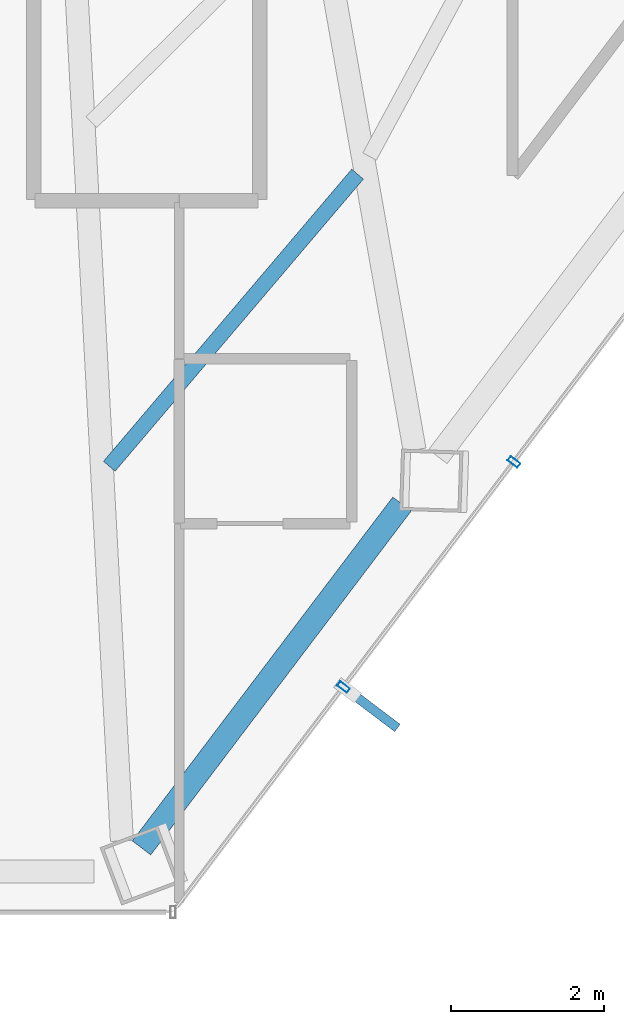
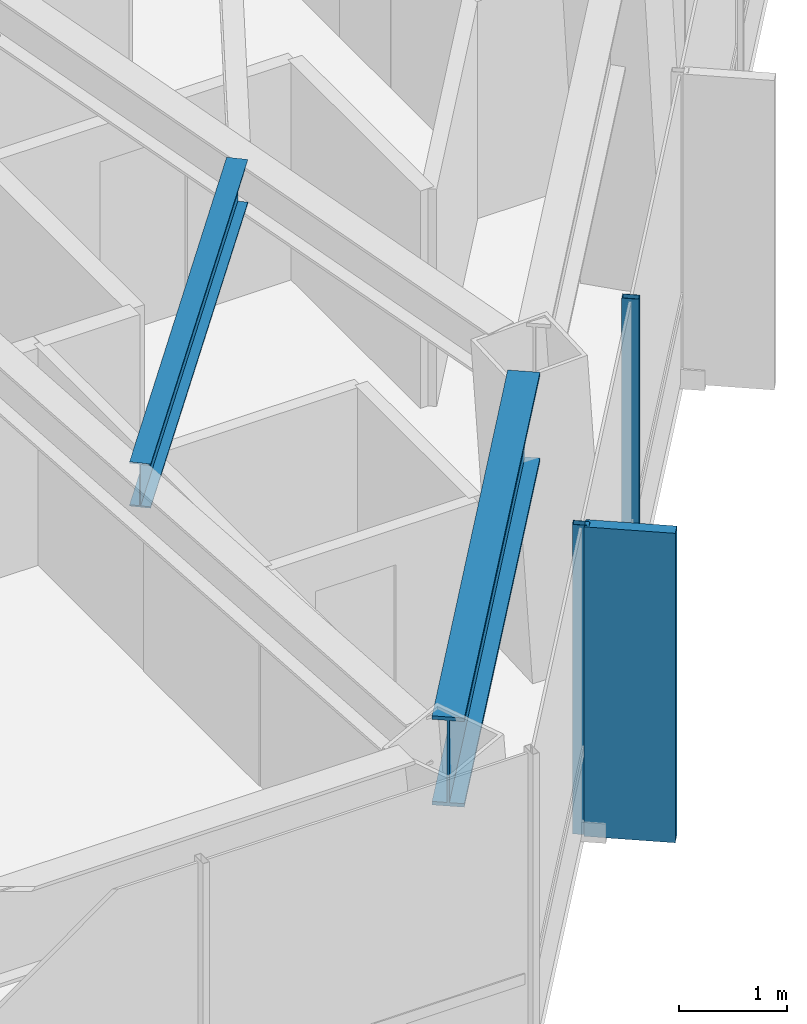
# One storey, part 18 of 30: 3 members, 2 beams, 1 element without a shape of its own.
"""IFC4 building model written with IfcOpenShell, lengths in metres."""

from ifc_helpers import new_model, si_unit, direction, frame, origin, origin_2d, place, context, subcontext, project, spatial, rectangle, hollow_rectangle, i_section, extrude, material, layer, layer_set, material_profile, profile_set, type_object, element, aggregate, save


model = new_model("IFC4")

# Units and contexts
model_context = context("Model", 3, precision=1e-05, world=origin(), true_north=direction((0.0, 1.0)))
body_context = subcontext(model_context, "Body", "Model", "MODEL_VIEW")
ifc_project = project(units=[si_unit("LENGTHUNIT", "METRE"), si_unit("AREAUNIT", "SQUARE_METRE"), si_unit("VOLUMEUNIT", "CUBIC_METRE"), si_unit("PLANEANGLEUNIT", "RADIAN"), si_unit("MASSUNIT", "GRAM", prefix="KILO")], contexts=[model_context])

# Site, building, storey
site_placement = place(None, origin())
site = spatial("IfcSite", under=ifc_project, at=site_placement, CompositionType="ELEMENT")
building_placement = place(site_placement, origin())
building = spatial("IfcBuilding", under=site, at=building_placement, Name="Zarrinselat Tower", CompositionType="ELEMENT")
storey_placement = place(building_placement, frame((0.0, 0.0, 130.89990234375)))
storey = spatial("IfcBuildingStorey", under=building, at=storey_placement, Name="L31", CompositionType="ELEMENT", Elevation=130.89990234375)

# Beams
ifc_material_1 = material(Name="Steel S460M", Category="steel")
ifc_material_profile_1 = material_profile(ifc_material_1, i_section(OverallWidth=0.302001953125, OverallDepth=1.008056640625, WebThickness=0.02099609375, FlangeThickness=0.0400390625, at=origin_2d()), Name="HEM 1000")
ifc_profile_set_1 = profile_set([ifc_material_profile_1], Name="Steel S460M")
beam_type_1 = type_object("IfcBeamType", Name="BM-HEM1000", PredefinedType="BEAM", material=ifc_profile_set_1)
beam_1_placement = place(storey_placement, frame((46.80810546875, 18.905029296875, 2.99609375), z_axis=(0.603857687995, 0.797092148154, 0.0), x_axis=(-0.797092148154, 0.603857687995, 0.0)))
element("IfcBeam", 1, at=beam_1_placement, inside=storey, type_object=beam_type_1, Name="L31 Perimeter Spandrel Girder SP11", PredefinedType="BEAM", context=body_context, shape_type="SweptSolid", body=[
    extrude(i_section(OverallWidth=0.302001953125, OverallDepth=1.008056640625, WebThickness=0.02099609375, FlangeThickness=0.0400390625, at=origin_2d()), origin(), (0.0, 0.0, 1.0), 5.6298828125),
])
ifc_material_2 = material(Name="Steel S355J2", Category="steel")
ifc_material_profile_2 = material_profile(ifc_material_2, i_section(OverallWidth=0.199951171875, OverallDepth=0.5, WebThickness=0.01025390625, FlangeThickness=0.01611328125, at=origin_2d()), Name="IPE 500")
ifc_profile_set_2 = profile_set([ifc_material_profile_2], Name="Steel S355J2")
beam_type_2 = type_object("IfcBeamType", Name="BM-IPE500", PredefinedType="JOIST", material=ifc_profile_set_2)
beam_2_placement = place(storey_placement, frame((46.38720703125, 23.88525390625, 3.25), z_axis=(0.647635673761, 0.76195015196, 0.0), x_axis=(-0.76195015196, 0.647635673761, 0.0)))
element("IfcBeam", 2, at=beam_2_placement, inside=storey, type_object=beam_type_2, Name="L31 Composite Floor Joist 3-1", PredefinedType="JOIST", context=body_context, shape_type="SweptSolid", body=[
    extrude(i_section(OverallWidth=0.199951171875, OverallDepth=0.5, WebThickness=0.01025390625, FlangeThickness=0.01611328125, at=origin_2d()), origin(), (0.0, 0.0, 1.0), 5.00390625),
])

# Curtain wall, members
ifc_material_3 = material(Name="Extruded Aluminium Alloy EN AW-6063 T6", Category="aluminium")
ifc_layer = layer(ifc_material_3, 0.175048828125)
ifc_layer_set = layer_set([ifc_layer], Name="Extruded Aluminium Alloy EN AW-6063 T6")
curtain_wall_type = type_object("IfcCurtainWallType", Name="CWS-HTL", PredefinedType="NOTDEFINED", material=ifc_layer_set)
curtain_wall_placement = place(storey_placement, origin())
curtain_wall = element("IfcCurtainWall", 3, at=curtain_wall_placement, inside=storey, type_object=curtain_wall_type, Name="L31 Unitised Curtain Wall CW-L31-E05", PredefinedType="NOTDEFINED")
ifc_material_4 = material(Name="Extruded Aluminium Alloy EN AW-6063 T6", Category="aluminium")
ifc_material_profile_3 = material_profile(ifc_material_4, hollow_rectangle(XDim=0.070068359375, YDim=0.159912109375, WallThickness=0.00390625, at=origin_2d()), Name="RHS 160x70x4")
ifc_profile_set_3 = profile_set([ifc_material_profile_3], Name="Extruded Aluminium Alloy EN AW-6063 T6")
member_type_1 = type_object("IfcMemberType", Name="MEM-CW-MUL2", PredefinedType="MULLION", material=ifc_profile_set_3)
member_1_placement = place(storey_placement, frame((49.443359375, 21.00390625, 0.0), z_axis=(0.0, 0.0, 1.0), x_axis=(0.603858135777, 0.797091808926, 0.0)))
member_1 = element("IfcMember", 4, at=member_1_placement, type_object=member_type_1, Name="CW-L31-E05 Mullion 1", PredefinedType="MULLION", context=body_context, shape_type="SweptSolid", body=[
    extrude(hollow_rectangle(XDim=0.070068359375, YDim=0.159912109375, WallThickness=0.00390625, at=origin_2d()), origin(), (0.0, 0.0, 1.0), 3.5),
])
member_2_placement = place(storey_placement, frame((51.668701171875, 23.94140625, 0.0), z_axis=(0.0, 0.0, 1.0), x_axis=(0.603858135777, 0.797091808926, 0.0)))
member_2 = element("IfcMember", 5, at=member_2_placement, type_object=member_type_1, Name="CW-L31-E05 Mullion 2", PredefinedType="MULLION", context=body_context, shape_type="SweptSolid", body=[
    extrude(hollow_rectangle(XDim=0.070068359375, YDim=0.159912109375, WallThickness=0.00390625, at=origin_2d()), origin(), (0.0, 0.0, 1.0), 3.5),
])
ifc_material_5 = material(Name="Honed Cream Travertine Stone", Category="masonry")
ifc_material_profile_4 = material_profile(ifc_material_5, rectangle(XDim=0.1201171875, YDim=0.85009765625, at=origin_2d()), Name="FIN 850x120")
ifc_profile_set_4 = profile_set([ifc_material_profile_4], Name="Honed Cream Travertine Stone")
member_type_2 = type_object("IfcMemberType", Name="MEM-STONE-FIN", PredefinedType="USERDEFINED", material=ifc_profile_set_4)
member_3_placement = place(storey_placement, frame((49.81005859375, 20.72607421875, 0.0), z_axis=(0.0, 0.0, 1.0), x_axis=(-0.603858135777, -0.797091808926, 0.0)))
member_3 = element("IfcMember", 6, at=member_3_placement, type_object=member_type_2, Name="L31 Stone Shading Fin CW-L31-E05-01", ObjectType="FIN", PredefinedType="USERDEFINED", context=body_context, shape_type="SweptSolid", body=[
    extrude(rectangle(XDim=0.1201171875, YDim=0.85009765625, at=origin_2d()), origin(), (0.0, 0.0, 1.0), 3.5),
])
aggregate(curtain_wall, [member_1, member_3, member_2])

save(model, "model.ifc")
